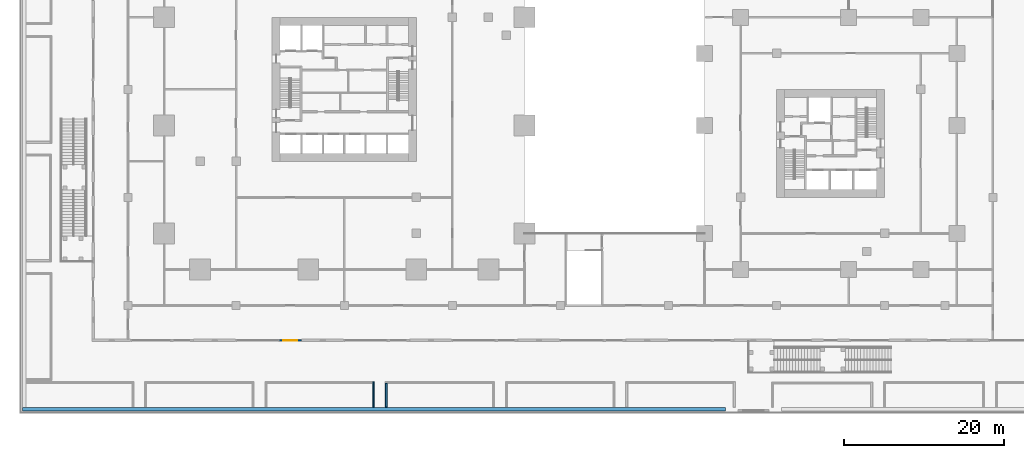
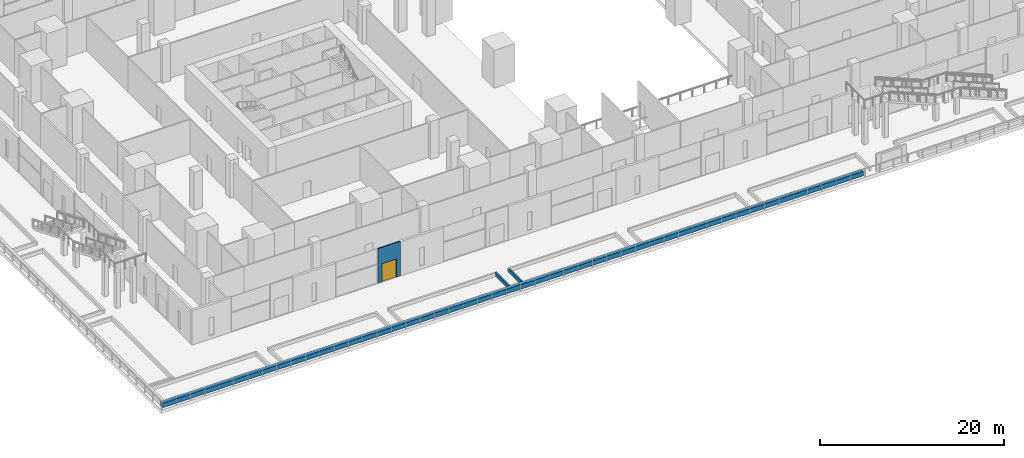
# One storey, part 28 of 49: 4 walls, 1 door, 1 opening.
"""IFC4 building model written with IfcOpenShell, lengths in metres."""

from ifc_helpers import new_model, si_unit, direction, frame, frame_2d, origin, place, context, subcontext, project, spatial, rectangle, extrude, material, layer, layer_set, type_object, element, fill, save


model = new_model("IFC4")

# Units and contexts
model_context = context("Model", 3, precision=1e-05, world=origin(), true_north=direction((0.0, 1.0)))
body_context = subcontext(model_context, "Body", "Model", "MODEL_VIEW")
ifc_project = project(units=[si_unit("LENGTHUNIT", "METRE"), si_unit("AREAUNIT", "SQUARE_METRE"), si_unit("VOLUMEUNIT", "CUBIC_METRE"), si_unit("PLANEANGLEUNIT", "RADIAN"), si_unit("MASSUNIT", "GRAM", prefix="KILO")], contexts=[model_context])

# Site, building, storey
site_placement = place(None, origin())
site = spatial("IfcSite", under=ifc_project, at=site_placement, CompositionType="ELEMENT")
building_placement = place(site_placement, origin())
building = spatial("IfcBuilding", under=site, at=building_placement, Name="Altepetl Exchange Towers", CompositionType="ELEMENT")
storey_placement = place(building_placement, frame((0.0, 0.0, 11.5)))
storey = spatial("IfcBuildingStorey", under=building, at=storey_placement, Name="L02 Exchange podium", CompositionType="ELEMENT", Elevation=11.5)

# Wall, opening, door
ifc_material_1 = material(Name="Aluminium composite cladding", Category="aluminium")
ifc_layer_1 = layer(ifc_material_1, 0.14990234375)
ifc_layer_set_1 = layer_set([ifc_layer_1], Name="Aluminium composite cladding")
wall_type_1 = type_object("IfcWallType", Name="Infill wall 150 aluminium panel", PredefinedType="SOLIDWALL", material=ifc_layer_set_1)
wall_1_placement = place(storey_placement, frame((41.35009765625, 18.14990234375, 0.0)))
wall_1 = element("IfcWall", 1, at=wall_1_placement, inside=storey, type_object=wall_type_1, Name="Door bay wall", PredefinedType="SOLIDWALL", context=body_context, shape_type="SweptSolid", body=[
    extrude(rectangle(XDim=2.7998046875, YDim=0.14990234375, at=frame_2d((1.39990234375, 0.0))), origin(), (0.0, 0.0, 1.0), 4.550048828125),
])
opening_placement = place(wall_1_placement, frame((0.5, 0.0, 0.0)))
opening = element("IfcOpeningElement", 2, at=opening_placement, cuts=wall_1, Name="Opening L02.E12", PredefinedType="OPENING", context=body_context, shape_type="SweptSolid", body=[
    extrude(rectangle(XDim=1.800048828125, YDim=2.39990234375, at=frame_2d((0.89990234375, 1.199951171875))), frame((0.0, 0.0849609375, 0.0), z_axis=(0.0, -1.0, 0.0), x_axis=(1.0, 0.0, 0.0)), (0.0, 0.0, 1.0), 0.169921875),
])
ifc_material_2 = material(Name="Aluminium 6063-T6 and glass", Category="aluminium")
door_type = type_object("IfcDoorType", Name="Glazed door pair 1800x2400", OperationType="DOUBLE_DOOR_DOUBLE_SWING", PredefinedType="NOTDEFINED", material=ifc_material_2)
door_placement = place(opening_placement, frame((1.800048828125, 0.0, 0.0), x_axis=(-1.0, 0.0, 0.0)))
door = element("IfcDoor", 3, at=door_placement, inside=storey, type_object=door_type, Name="Terrace door", OperationType="DOUBLE_DOOR_DOUBLE_SWING", OverallHeight=2.39990234375, OverallWidth=1.800048828125, PredefinedType="NOTDEFINED", context=body_context, shape_type="SweptSolid", body=[
    extrude(rectangle(XDim=1.800048828125, YDim=2.39990234375, at=frame_2d((0.89990234375, 1.199951171875))), frame((0.0, 0.02490234375, 0.0), z_axis=(0.0, -1.0, 0.0), x_axis=(1.0, 0.0, 0.0)), (0.0, 0.0, 1.0), 0.050048828125),
])
fill(opening, door)

# Walls
ifc_material_3 = material(Name="Concrete C30/37", Category="concrete")
ifc_layer_2 = layer(ifc_material_3, 0.449951171875)
ifc_layer_set_2 = layer_set([ifc_layer_2], Name="Concrete C30/37")
wall_type_2 = type_object("IfcWallType", Name="Planter wall 450 concrete", PredefinedType="SOLIDWALL", material=ifc_layer_set_2)
wall_2_placement = place(storey_placement, frame((9.324951171875, 9.550048828125, 0.0)))
element("IfcWall", 4, at=wall_2_placement, inside=storey, type_object=wall_type_2, Name="Planter bed wall", PredefinedType="SOLIDWALL", context=body_context, shape_type="SweptSolid", body=[
    extrude(rectangle(XDim=87.782470703125, YDim=0.449951171875, at=frame_2d((43.89111328125, 0.0))), origin(), (0.0, 0.0, 1.0), 0.60009765625),
])
ifc_material_4 = material(Name="Reinforced concrete C35/45", Category="concrete")
ifc_layer_3 = layer(ifc_material_4, 0.199951171875)
ifc_layer_set_3 = layer_set([ifc_layer_3], Name="Reinforced concrete C35/45")
wall_type_3 = type_object("IfcWallType", Name="Planting bed curb 200", PredefinedType="SOLIDWALL", material=ifc_layer_set_3)
wall_3_placement = place(storey_placement, frame((53.137451171875, 9.77490234375, 0.0), z_axis=(0.0, 0.0, 1.0), x_axis=(0.0, 1.0, 0.0)))
element("IfcWall", 5, at=wall_3_placement, inside=storey, type_object=wall_type_3, Name="wall:P:L02:CB06e", PredefinedType="SOLIDWALL", context=body_context, shape_type="SweptSolid", body=[
    extrude(rectangle(XDim=3.2001953125, YDim=0.199951171875, at=frame_2d((1.60009765625, 0.0))), origin(), (0.0, 0.0, 1.0), 0.449951171875),
])
wall_4_placement = place(storey_placement, frame((54.737548828125, 9.77490234375, 0.0), z_axis=(0.0, 0.0, 1.0), x_axis=(0.0, 1.0, 0.0)))
element("IfcWall", 6, at=wall_4_placement, inside=storey, type_object=wall_type_3, Name="wall:P:L02:CB07w", PredefinedType="SOLIDWALL", context=body_context, shape_type="SweptSolid", body=[
    extrude(rectangle(XDim=3.0, YDim=0.199951171875, at=frame_2d((1.5, 0.0))), origin(), (0.0, 0.0, 1.0), 0.449951171875),
])

save(model, "model.ifc")
